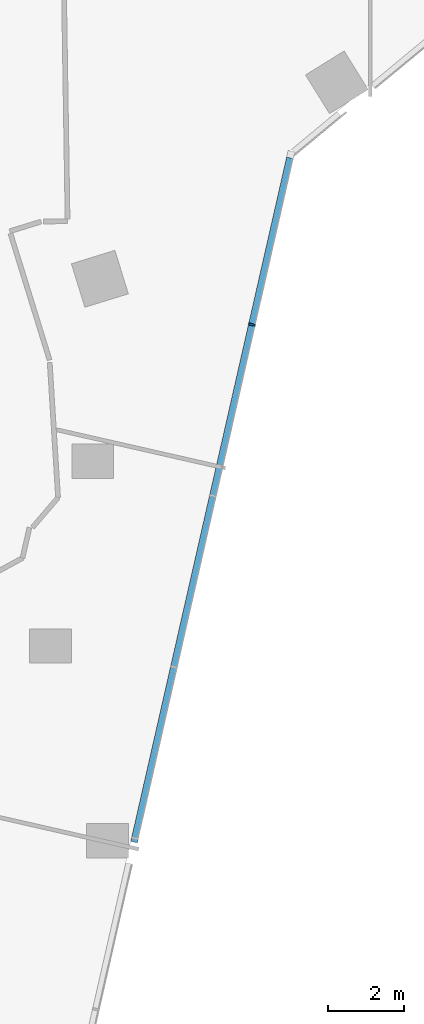
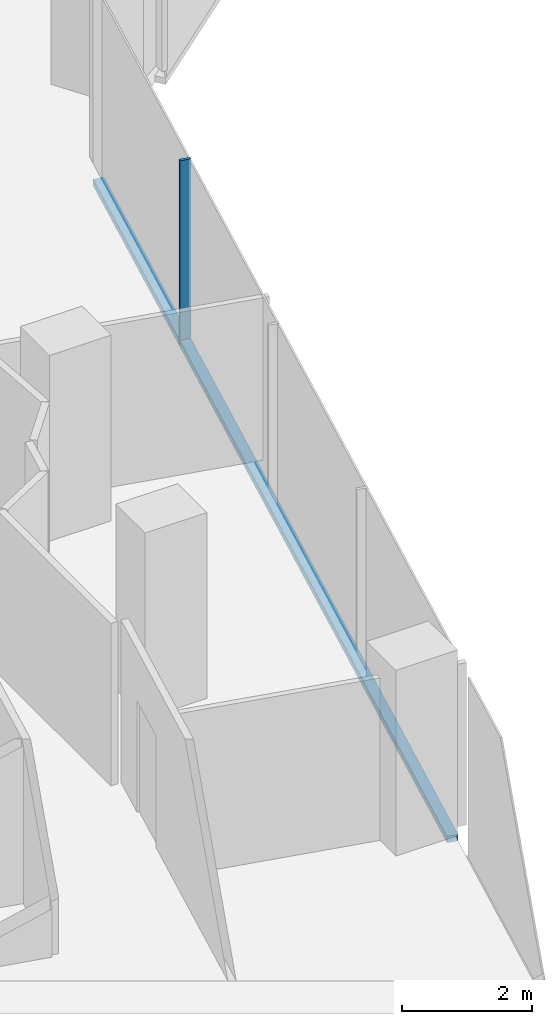
# One storey, part 6 of 24: 2 members, 1 element without a shape of its own.
"""IFC4 building model written with IfcOpenShell, lengths in metres."""

from ifc_helpers import new_model, si_unit, direction, frame, origin, origin_2d, place, context, subcontext, project, spatial, rectangle, extrude, material, material_profile, profile_set, type_object, element, aggregate, save


model = new_model("IFC4")

# Units and contexts
model_context = context("Model", 3, precision=1e-05, world=origin(), true_north=direction((0.0, 1.0)))
body_context = subcontext(model_context, "Body", "Model", "MODEL_VIEW")
ifc_project = project(units=[si_unit("LENGTHUNIT", "METRE"), si_unit("AREAUNIT", "SQUARE_METRE"), si_unit("VOLUMEUNIT", "CUBIC_METRE"), si_unit("PLANEANGLEUNIT", "RADIAN"), si_unit("MASSUNIT", "GRAM", prefix="KILO")], contexts=[model_context])

# Site, building, storey
site_placement = place(None, origin())
site = spatial("IfcSite", under=ifc_project, at=site_placement, CompositionType="ELEMENT")
building_placement = place(site_placement, origin())
building = spatial("IfcBuilding", under=site, at=building_placement, Name="Orlundy Tower", CompositionType="ELEMENT")
storey_placement = place(building_placement, frame((0.0, 0.0, 170.60009765625)))
storey = spatial("IfcBuildingStorey", under=building, at=storey_placement, Name="L44", CompositionType="ELEMENT", Elevation=170.60009765625)

# Curtain wall, members
ifc_material_1 = material(Name="Aluminium bronze anodised", Category="aluminium")
curtain_wall_type = type_object("IfcCurtainWallType", Name="CW1 wall", PredefinedType="NOTDEFINED", material=ifc_material_1)
curtain_wall_placement = place(storey_placement, origin())
curtain_wall = element("IfcCurtainWall", 1, at=curtain_wall_placement, inside=storey, type_object=curtain_wall_type, Name="CW1 run 018", PredefinedType="NOTDEFINED")
ifc_material_2 = material(Name="Aluminium bronze anodised", Category="aluminium")
ifc_material_profile_1 = material_profile(ifc_material_2, rectangle(XDim=0.179931640625, YDim=0.050048828125, at=origin_2d()), Name="CW1 mullion 50x180")
ifc_profile_set_1 = profile_set([ifc_material_profile_1], Name="Aluminium bronze anodised")
member_type_1 = type_object("IfcMemberType", Name="CW1 mullion 50x180", PredefinedType="MULLION", material=ifc_profile_set_1)
member_1_placement = place(storey_placement, frame((13.4033203125, -31.613037109375, -0.420166015625), z_axis=(0.0, 0.0, 1.0), x_axis=(0.975022425628, -0.222106437373, 0.0)))
member_1 = element("IfcMember", 2, at=member_1_placement, type_object=member_type_1, Name="CW1 mullion 44", PredefinedType="MULLION", context=body_context, shape_type="SweptSolid", body=[
    extrude(rectangle(XDim=0.179931640625, YDim=0.050048828125, at=origin_2d()), origin(), (0.0, 0.0, 1.0), 3.5),
])
ifc_material_3 = material(Name="Aluminium bronze anodised", Category="aluminium")
ifc_material_profile_2 = material_profile(ifc_material_3, rectangle(XDim=0.179931640625, YDim=0.1201171875, at=origin_2d()), Name="CW1 transom 180x120")
ifc_profile_set_2 = profile_set([ifc_material_profile_2], Name="Aluminium bronze anodised")
member_type_2 = type_object("IfcMemberType", Name="CW1 transom 180x120", PredefinedType="USERDEFINED", material=ifc_profile_set_2)
member_2_placement = place(storey_placement, frame((14.405029296875, -27.215576171875, -0.360107421875), z_axis=(-0.222113084939, -0.975020911314, 0.0), x_axis=(0.975020911314, -0.222113084939, 0.0)))
member_2 = element("IfcMember", 3, at=member_2_placement, type_object=member_type_2, Name="CW1 transom", ObjectType="TRANSOM", PredefinedType="USERDEFINED", context=body_context, shape_type="SweptSolid", body=[
    extrude(rectangle(XDim=0.179931640625, YDim=0.1201171875, at=origin_2d()), origin(), (0.0, 0.0, 1.0), 18.509033203125),
])
aggregate(curtain_wall, [member_1, member_2])

save(model, "model.ifc")
